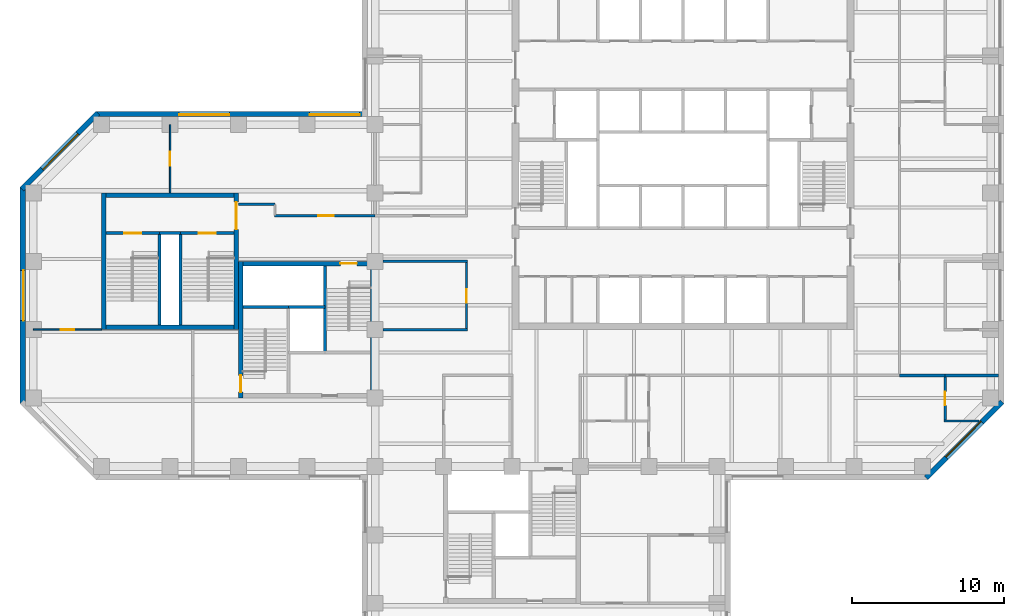
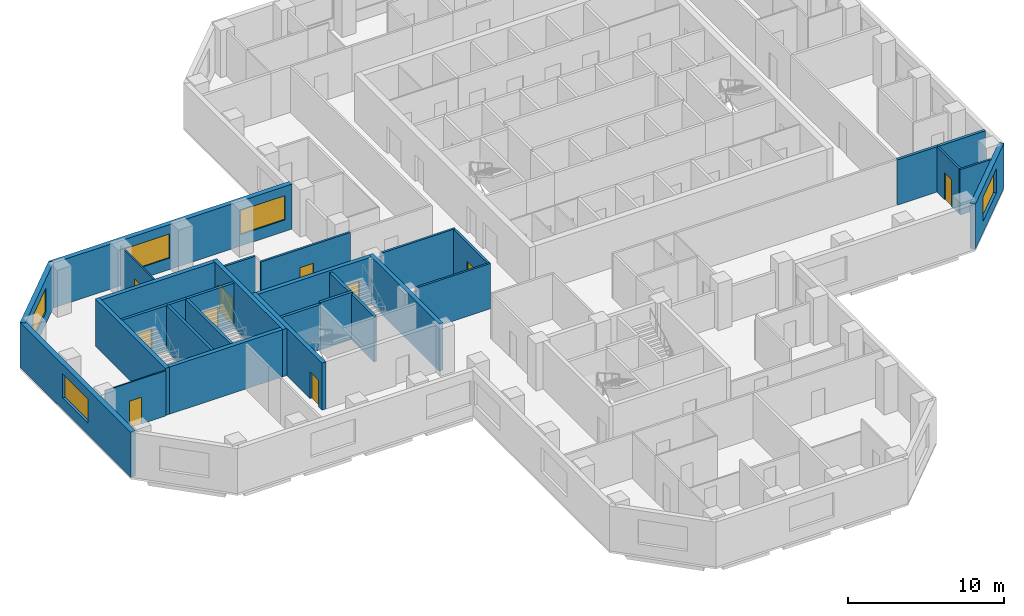
# One storey, part 5 of 11: 30 walls, 10 doors, 5 windows, 15 openings.
"""IFC4 building model written with IfcOpenShell, lengths in metres."""

from ifc_helpers import new_model, si_unit, direction, frame, frame_2d, origin, place, context, subcontext, project, spatial, rectangle, extrude, material, layer, layer_set, constituent, constituent_set, type_object, element, fill, save


model = new_model("IFC4")

# Units and contexts
model_context = context("Model", 3, precision=1e-05, world=origin(), true_north=direction((0.0, 1.0)))
body_context = subcontext(model_context, "Body", "Model", "MODEL_VIEW")
ifc_project = project(units=[si_unit("LENGTHUNIT", "METRE"), si_unit("AREAUNIT", "SQUARE_METRE"), si_unit("VOLUMEUNIT", "CUBIC_METRE"), si_unit("PLANEANGLEUNIT", "RADIAN"), si_unit("MASSUNIT", "GRAM", prefix="KILO")], contexts=[model_context])

# Site, building, storey
site_placement = place(None, origin())
site = spatial("IfcSite", under=ifc_project, at=site_placement, CompositionType="ELEMENT")
building_placement = place(site_placement, origin())
building = spatial("IfcBuilding", under=site, at=building_placement, Name="Quoin Convention Tower", CompositionType="ELEMENT")
storey_placement = place(building_placement, frame((0.0, 0.0, 119.60009765625)))
storey = spatial("IfcBuildingStorey", under=building, at=storey_placement, Name="L31", CompositionType="ELEMENT", Elevation=119.60009765625)

# Wall, opening, window
ifc_material_1 = material(Name="Brick masonry", Category="masonry")
ifc_layer_1 = layer(ifc_material_1, 0.35009765625)
ifc_layer_set_1 = layer_set([ifc_layer_1], Name="Brick masonry")
wall_type_1 = type_object("IfcWallType", Name="Brick facade wall", PredefinedType="STANDARD", material=ifc_layer_set_1)
wall_1_placement = place(storey_placement, frame((72.23876953125, 39.748779296875, 0.0), z_axis=(0.0, 0.0, 1.0), x_axis=(0.707106781187, 0.707106781187, 0.0)))
wall_1 = element("IfcWall", 1, at=wall_1_placement, inside=storey, type_object=wall_type_1, Name="fw-L31-72000_40500", PredefinedType="STANDARD", context=body_context, shape_type="SweptSolid", body=[
    extrude(rectangle(XDim=7.088623046875, YDim=0.35009765625, at=frame_2d((3.54443359375, 0.0))), origin(), (0.0, 0.0, 1.0), 3.52490234375),
])
opening_1_placement = place(wall_1_placement, frame((1.894287109375, 0.0, 0.89990234375)))
opening_1 = element("IfcOpeningElement", 2, at=opening_1_placement, cuts=wall_1, Name="Opening W-02", PredefinedType="OPENING", context=body_context, shape_type="SweptSolid", body=[
    extrude(rectangle(XDim=3.300048828125, YDim=1.89990234375, at=frame_2d((1.64990234375, 0.949951171875))), frame((0.0, 0.18505859375, 0.0), z_axis=(0.0, -1.0, 0.0), x_axis=(1.0, 0.0, 0.0)), (0.0, 0.0, 1.0), 0.3701171875),
])
ifc_material_2 = material(Name="Aluminium", Category="aluminium")
ifc_constituent_1 = constituent(ifc_material_2, Name="Frame")
ifc_material_3 = material(Name="Insulated glass", Category="glass")
ifc_constituent_2 = constituent(ifc_material_3, Name="Glazing")
ifc_constituent_set = constituent_set(constituents=[ifc_constituent_1, ifc_constituent_2], Name="Aluminium")
window_type = type_object("IfcWindowType", Name="Office window", PartitioningType="DOUBLE_PANEL_VERTICAL", PredefinedType="WINDOW", material=ifc_constituent_set)
window_1_placement = place(opening_1_placement, origin())
window_1 = element("IfcWindow", 3, at=window_1_placement, inside=storey, type_object=window_type, Name="win-L31-74745_42255", OverallHeight=1.89990234375, OverallWidth=3.300048828125, PartitioningType="SINGLE_PANEL", PredefinedType="WINDOW", context=body_context, shape_type="SweptSolid", body=[
    extrude(rectangle(XDim=3.300048828125, YDim=1.89990234375, at=frame_2d((1.64990234375, 0.949951171875))), frame((0.0, 0.0849609375, 0.0), z_axis=(0.0, -1.0, 0.0), x_axis=(1.0, 0.0, 0.0)), (0.0, 0.0, 1.0), 0.06005859375),
])
fill(opening_1, window_1)

# Wall, openings, windows
wall_2_placement = place(storey_placement, frame((35.47509765625, 63.699951171875, 0.0), z_axis=(0.0, 0.0, 1.0), x_axis=(-1.0, 0.0, 0.0)))
wall_2 = element("IfcWall", 4, at=wall_2_placement, inside=storey, type_object=wall_type_1, Name="fw-L31-36000_63000", PredefinedType="STANDARD", context=body_context, shape_type="SweptSolid", body=[
    extrude(rectangle(XDim=17.83740234375, YDim=0.35009765625, at=frame_2d((8.918701171875, 0.0))), origin(), (0.0, 0.0, 1.0), 3.52490234375),
])
opening_2_placement = place(wall_2_placement, frame((0.5, 0.0, 0.89990234375)))
opening_2 = element("IfcOpeningElement", 5, at=opening_2_placement, cuts=wall_2, Name="Opening W-02", PredefinedType="OPENING", context=body_context, shape_type="SweptSolid", body=[
    extrude(rectangle(XDim=3.300048828125, YDim=1.89990234375, at=frame_2d((1.64990234375, 0.949951171875))), frame((0.0, 0.18505859375, 0.0), z_axis=(0.0, -1.0, 0.0), x_axis=(1.0, 0.0, 0.0)), (0.0, 0.0, 1.0), 0.3701171875),
])
opening_3_placement = place(wall_2_placement, frame((9.074951171875, 0.0, 0.89990234375)))
opening_3 = element("IfcOpeningElement", 6, at=opening_3_placement, cuts=wall_2, Name="Opening W-02", PredefinedType="OPENING", context=body_context, shape_type="SweptSolid", body=[
    extrude(rectangle(XDim=3.300048828125, YDim=1.89990234375, at=frame_2d((1.64990234375, 0.949951171875))), frame((0.0, 0.18505859375, 0.0), z_axis=(0.0, -1.0, 0.0), x_axis=(1.0, 0.0, 0.0)), (0.0, 0.0, 1.0), 0.3701171875),
])
window_2_placement = place(opening_2_placement, origin())
window_2 = element("IfcWindow", 7, at=window_2_placement, inside=storey, type_object=window_type, Name="win-L31-33750_63700", OverallHeight=1.89990234375, OverallWidth=3.300048828125, PartitioningType="SINGLE_PANEL", PredefinedType="WINDOW", context=body_context, shape_type="SweptSolid", body=[
    extrude(rectangle(XDim=3.300048828125, YDim=1.89990234375, at=frame_2d((1.64990234375, 0.949951171875))), frame((0.0, 0.0849609375, 0.0), z_axis=(0.0, -1.0, 0.0), x_axis=(1.0, 0.0, 0.0)), (0.0, 0.0, 1.0), 0.06005859375),
])
fill(opening_2, window_2)
window_3_placement = place(opening_3_placement, origin())
window_3 = element("IfcWindow", 8, at=window_3_placement, inside=storey, type_object=window_type, Name="win-L31-24750_63700", OverallHeight=1.89990234375, OverallWidth=3.300048828125, PartitioningType="SINGLE_PANEL", PredefinedType="WINDOW", context=body_context, shape_type="SweptSolid", body=[
    extrude(rectangle(XDim=3.300048828125, YDim=1.89990234375, at=frame_2d((1.64990234375, 0.949951171875))), frame((0.0, 0.0849609375, 0.0), z_axis=(0.0, -1.0, 0.0), x_axis=(1.0, 0.0, 0.0)), (0.0, 0.0, 1.0), 0.06005859375),
])
fill(opening_3, window_3)

# Wall, opening, window
wall_3_placement = place(storey_placement, frame((17.76123046875, 63.751220703125, 0.0), z_axis=(0.0, 0.0, 1.0), x_axis=(-0.707106781187, -0.707106781187, 0.0)))
wall_3 = element("IfcWall", 9, at=wall_3_placement, inside=storey, type_object=wall_type_1, Name="fw-L31-18000_63000", PredefinedType="STANDARD", context=body_context, shape_type="SweptSolid", body=[
    extrude(rectangle(XDim=7.088623046875, YDim=0.35009765625, at=frame_2d((3.54443359375, 0.0))), origin(), (0.0, 0.0, 1.0), 3.52490234375),
])
opening_4_placement = place(wall_3_placement, frame((1.894287109375, 0.0, 0.89990234375)))
opening_4 = element("IfcOpeningElement", 10, at=opening_4_placement, cuts=wall_3, Name="Opening W-02", PredefinedType="OPENING", context=body_context, shape_type="SweptSolid", body=[
    extrude(rectangle(XDim=3.300048828125, YDim=1.89990234375, at=frame_2d((1.64990234375, 0.949951171875))), frame((0.0, 0.18505859375, 0.0), z_axis=(0.0, -1.0, 0.0), x_axis=(1.0, 0.0, 0.0)), (0.0, 0.0, 1.0), 0.3701171875),
])
window_4_placement = place(opening_4_placement, origin())
window_4 = element("IfcWindow", 11, at=window_4_placement, inside=storey, type_object=window_type, Name="win-L31-15255_61245", OverallHeight=1.89990234375, OverallWidth=3.300048828125, PartitioningType="SINGLE_PANEL", PredefinedType="WINDOW", context=body_context, shape_type="SweptSolid", body=[
    extrude(rectangle(XDim=3.300048828125, YDim=1.89990234375, at=frame_2d((1.64990234375, 0.949951171875))), frame((0.0, 0.0849609375, 0.0), z_axis=(0.0, -1.0, 0.0), x_axis=(1.0, 0.0, 0.0)), (0.0, 0.0, 1.0), 0.06005859375),
])
fill(opening_4, window_4)

wall_4_placement = place(storey_placement, frame((12.800048828125, 58.8623046875, 0.0), z_axis=(0.0, 0.0, 1.0), x_axis=(0.0, -1.0, 0.0)))
wall_4 = element("IfcWall", 12, at=wall_4_placement, inside=storey, type_object=wall_type_1, Name="fw-L31-13500_58500", PredefinedType="STANDARD", context=body_context, shape_type="SweptSolid", body=[
    extrude(rectangle(XDim=14.224609375, YDim=0.35009765625, at=frame_2d((7.1123046875, 0.0))), origin(), (0.0, 0.0, 1.0), 3.52490234375),
])
opening_5_placement = place(wall_4_placement, frame((5.46240234375, 0.0, 0.89990234375)))
opening_5 = element("IfcOpeningElement", 13, at=opening_5_placement, cuts=wall_4, Name="Opening W-02", PredefinedType="OPENING", context=body_context, shape_type="SweptSolid", body=[
    extrude(rectangle(XDim=3.300048828125, YDim=1.89990234375, at=frame_2d((1.64990234375, 0.949951171875))), frame((0.0, 0.18505859375, 0.0), z_axis=(0.0, -1.0, 0.0), x_axis=(1.0, 0.0, 0.0)), (0.0, 0.0, 1.0), 0.3701171875),
])
window_5_placement = place(opening_5_placement, origin())
window_5 = element("IfcWindow", 14, at=window_5_placement, inside=storey, type_object=window_type, Name="win-L31-12800_51750", OverallHeight=1.89990234375, OverallWidth=3.300048828125, PartitioningType="SINGLE_PANEL", PredefinedType="WINDOW", context=body_context, shape_type="SweptSolid", body=[
    extrude(rectangle(XDim=3.300048828125, YDim=1.89990234375, at=frame_2d((1.64990234375, 0.949951171875))), frame((0.0, 0.0849609375, 0.0), z_axis=(0.0, -1.0, 0.0), x_axis=(1.0, 0.0, 0.0)), (0.0, 0.0, 1.0), 0.06005859375),
])
fill(opening_5, window_5)

# Walls
ifc_material_4 = material(Name="Concrete C50", Category="concrete")
ifc_layer_2 = layer(ifc_material_4, 0.199951171875)
ifc_layer_set_2 = layer_set([ifc_layer_2], Name="Concrete C50")
wall_type_2 = type_object("IfcWallType", Name="Core shaft wall", PredefinedType="SOLIDWALL", material=ifc_layer_set_2)
wall_5_placement = place(storey_placement, frame((27.300048828125, 51.0, 0.0), z_axis=(0.0, 0.0, 1.0), x_axis=(1.0, 0.0, 0.0)))
element("IfcWall", 15, at=wall_5_placement, inside=storey, type_object=wall_type_2, Name="cr-P2-L31-h6000_300", PredefinedType="SOLIDWALL", context=body_context, shape_type="SweptSolid", body=[
    extrude(rectangle(XDim=3.0, YDim=0.199951171875, at=frame_2d((1.5, 0.0))), origin(), (0.0, 0.0, 1.0), 3.5498046875),
])
wall_6_placement = place(storey_placement, frame((32.699951171875, 48.0, 0.0), z_axis=(0.0, 0.0, 1.0), x_axis=(0.0, 1.0, 0.0)))
element("IfcWall", 16, at=wall_6_placement, inside=storey, type_object=wall_type_2, Name="cr-P2-L31-v5700_3000", PredefinedType="SOLIDWALL", context=body_context, shape_type="SweptSolid", body=[
    extrude(rectangle(XDim=5.699951171875, YDim=0.199951171875, at=frame_2d((2.85009765625, 0.0))), origin(), (0.0, 0.0, 1.0), 3.5498046875),
])
wall_7_placement = place(storey_placement, frame((21.800048828125, 55.85009765625, 0.0), z_axis=(0.0, 0.0, 1.0), x_axis=(1.0, 0.0, 0.0)))
element("IfcWall", 17, at=wall_7_placement, inside=storey, type_object=wall_type_2, Name="cr-P6-L31-h6350_3800", PredefinedType="SOLIDWALL", context=body_context, shape_type="SweptSolid", body=[
    extrude(rectangle(XDim=1.39990234375, YDim=0.199951171875, at=frame_2d((0.699951171875, 0.0))), origin(), (0.0, 0.0, 1.0), 3.5498046875),
])

# Wall, opening, door
wall_8_placement = place(storey_placement, frame((18.300048828125, 55.85009765625, 0.0), z_axis=(0.0, 0.0, 1.0), x_axis=(1.0, 0.0, 0.0)))
wall_8 = element("IfcWall", 18, at=wall_8_placement, inside=storey, type_object=wall_type_2, Name="cr-P6-L31-h6350_300", PredefinedType="SOLIDWALL", context=body_context, shape_type="SweptSolid", body=[
    extrude(rectangle(XDim=3.5, YDim=0.199951171875, at=frame_2d((1.75, 0.0))), origin(), (0.0, 0.0, 1.0), 3.5498046875),
])
opening_6_placement = place(wall_8_placement, frame((1.199951171875, 0.0, 0.0)))
opening_6 = element("IfcOpeningElement", 19, at=opening_6_placement, cuts=wall_8, Name="Opening SD11", PredefinedType="OPENING", context=body_context, shape_type="SweptSolid", body=[
    extrude(rectangle(XDim=1.10009765625, YDim=2.10009765625, at=frame_2d((0.550048828125, 1.050048828125))), frame((0.0, 0.10986328125, 0.0), z_axis=(0.0, -1.0, 0.0), x_axis=(1.0, 0.0, 0.0)), (0.0, 0.0, 1.0), 0.219970703125),
])
ifc_material_5 = material(Name="Steel door leaf", Category="steel")
door_type_1 = type_object("IfcDoorType", Name="Stair door 1100 x 2100", OperationType="SINGLE_SWING_RIGHT", PredefinedType="DOOR", material=ifc_material_5)
door_1_placement = place(opening_6_placement, origin())
door_1 = element("IfcDoor", 20, at=door_1_placement, inside=storey, type_object=door_type_1, Name="cd-P6-L31-SA-R2-SD11", OperationType="SINGLE_SWING_RIGHT", OverallHeight=2.10009765625, OverallWidth=1.10009765625, PredefinedType="DOOR", context=body_context, shape_type="SweptSolid", body=[
    extrude(rectangle(XDim=1.10009765625, YDim=2.10009765625, at=frame_2d((0.550048828125, 1.050048828125))), frame((0.0, 0.02490234375, 0.0), z_axis=(0.0, -1.0, 0.0), x_axis=(1.0, 0.0, 0.0)), (0.0, 0.0, 1.0), 0.050048828125),
])
fill(opening_6, door_1)

wall_9_placement = place(storey_placement, frame((23.199951171875, 55.85009765625, 0.0), z_axis=(0.0, 0.0, 1.0), x_axis=(1.0, 0.0, 0.0)))
wall_9 = element("IfcWall", 21, at=wall_9_placement, inside=storey, type_object=wall_type_2, Name="cr-P6-L31-h6350_5200", PredefinedType="SOLIDWALL", context=body_context, shape_type="SweptSolid", body=[
    extrude(rectangle(XDim=3.5, YDim=0.199951171875, at=frame_2d((1.75, 0.0))), origin(), (0.0, 0.0, 1.0), 3.5498046875),
])
opening_7_placement = place(wall_9_placement, frame((1.199951171875, 0.0, 0.0)))
opening_7 = element("IfcOpeningElement", 22, at=opening_7_placement, cuts=wall_9, Name="Opening SD12", PredefinedType="OPENING", context=body_context, shape_type="SweptSolid", body=[
    extrude(rectangle(XDim=1.10009765625, YDim=2.10009765625, at=frame_2d((0.550048828125, 1.050048828125))), frame((0.0, 0.10986328125, 0.0), z_axis=(0.0, -1.0, 0.0), x_axis=(1.0, 0.0, 0.0)), (0.0, 0.0, 1.0), 0.219970703125),
])
door_2_placement = place(opening_7_placement, origin())
door_2 = element("IfcDoor", 23, at=door_2_placement, inside=storey, type_object=door_type_1, Name="cd-P6-L31-SB-R2-SD12", OperationType="SINGLE_SWING_RIGHT", OverallHeight=2.10009765625, OverallWidth=1.10009765625, PredefinedType="DOOR", context=body_context, shape_type="SweptSolid", body=[
    extrude(rectangle(XDim=1.10009765625, YDim=2.10009765625, at=frame_2d((0.550048828125, 1.050048828125))), frame((0.0, 0.02490234375, 0.0), z_axis=(0.0, -1.0, 0.0), x_axis=(1.0, 0.0, 0.0)), (0.0, 0.0, 1.0), 0.050048828125),
])
fill(opening_7, door_2)

# Walls
for number, where, z_axis, x_axis, name in (
    (24, (21.800048828125, 49.800048828125, 0.0), (0.0, 0.0, 1.0), (0.0, 1.0, 0.0), "cr-P6-L31-v3800_300"),
    (25, (23.199951171875, 49.800048828125, 0.0), (0.0, 0.0, 1.0), (0.0, 1.0, 0.0), "cr-P6-L31-v5200_300"),
):
    element("IfcWall", number, at=place(storey_placement, frame(where, z_axis=z_axis, x_axis=x_axis)), inside=storey, type_object=wall_type_2, Name=name, PredefinedType="SOLIDWALL", context=body_context, shape_type="SweptSolid", body=[
        extrude(rectangle(XDim=6.050048828125, YDim=0.199951171875, at=frame_2d((3.02490234375, 0.0))), origin(), (0.0, 0.0, 1.0), 3.5498046875),
    ])
ifc_layer_3 = layer(ifc_material_4, 0.199951171875)
ifc_layer_set_3 = layer_set([ifc_layer_3], Name="Concrete C50")
wall_type_3 = type_object("IfcWallType", Name="Core shaft wall to the floor level over", PredefinedType="SOLIDWALL", material=ifc_layer_set_3)
wall_10_placement = place(storey_placement, frame((30.300048828125, 51.0, 0.0), z_axis=(0.0, 0.0, 1.0), x_axis=(1.0, 0.0, 0.0)))
element("IfcWall", 26, at=wall_10_placement, inside=storey, type_object=wall_type_3, Name="cr-P2-L31-h6000_3300", PredefinedType="SOLIDWALL", context=body_context, shape_type="SweptSolid", body=[
    extrude(rectangle(XDim=2.39990234375, YDim=0.199951171875, at=frame_2d((1.199951171875, 0.0))), origin(), (0.0, 0.0, 1.0), 3.699951171875),
])
ifc_material_6 = material(Name="Plasterboard")
ifc_layer_4 = layer(ifc_material_6, 0.012451171875, Name="Finish")
ifc_material_7 = material(Name="Steel stud framing", Category="steel")
ifc_layer_5 = layer(ifc_material_7, 0.125, Name="Structure")
ifc_layer_6 = layer(ifc_material_6, 0.012451171875, Name="Finish")
ifc_layer_set_4 = layer_set([ifc_layer_4, ifc_layer_5, ifc_layer_6], Name="Steel stud framing")
wall_type_4 = type_object("IfcWallType", Name="Corridor wall 150", PredefinedType="PARTITIONING", material=ifc_layer_set_4)
for number, where, z_axis, x_axis, name in (
    (27, (36.52490234375, 49.5, 0.0), (0.0, 0.0, 1.0), (1.0, 0.0, 0.0), "pw-L31-027"),
    (28, (36.52490234375, 54.0, 0.0), (0.0, 0.0, 1.0), (1.0, 0.0, 0.0), "pw-L31-031"),
):
    element("IfcWall", number, at=place(storey_placement, frame(where, z_axis=z_axis, x_axis=x_axis)), inside=storey, type_object=wall_type_4, Name=name, PredefinedType="PARTITIONING", context=body_context, shape_type="SweptSolid", body=[
        extrude(rectangle(XDim=5.550048828125, YDim=0.14990234375, at=frame_2d((2.77490234375, 0.0))), origin(), (0.0, 0.0, 1.0), 3.5498046875),
    ])

# Wall, opening, door
wall_11_placement = place(storey_placement, frame((29.3798828125, 57.0, 0.0), z_axis=(0.0, 0.0, 1.0), x_axis=(1.0, 0.0, 0.0)))
wall_11 = element("IfcWall", 29, at=wall_11_placement, inside=storey, type_object=wall_type_4, Name="pw-L31-033", PredefinedType="PARTITIONING", context=body_context, shape_type="SweptSolid", body=[
    extrude(rectangle(XDim=6.6201171875, YDim=0.14990234375, at=frame_2d((3.31005859375, 0.0))), origin(), (0.0, 0.0, 1.0), 3.5498046875),
])
opening_8_placement = place(wall_11_placement, frame((2.8798828125, 0.0, 0.0)))
opening_8 = element("IfcOpeningElement", 30, at=opening_8_placement, cuts=wall_11, Name="Opening DOL6-11", PredefinedType="OPENING", context=body_context, shape_type="SweptSolid", body=[
    extrude(rectangle(XDim=1.0, YDim=2.10009765625, at=frame_2d((0.5, 1.050048828125))), frame((0.0, 0.0849609375, 0.0), z_axis=(0.0, -1.0, 0.0), x_axis=(1.0, 0.0, 0.0)), (0.0, 0.0, 1.0), 0.169921875),
])
door_type_2 = type_object("IfcDoorType", Name="Tenancy entrance door 1000 x 2100", OperationType="DOUBLE_DOOR_SINGLE_SWING", PredefinedType="DOOR", material=ifc_material_5)
door_3_placement = place(opening_8_placement, origin())
door_3 = element("IfcDoor", 31, at=door_3_placement, inside=storey, type_object=door_type_2, Name="dr-L31-w01", OperationType="DOUBLE_DOOR_SINGLE_SWING", OverallHeight=2.10009765625, OverallWidth=1.0, PredefinedType="DOOR", context=body_context, shape_type="SweptSolid", body=[
    extrude(rectangle(XDim=1.0, YDim=2.10009765625, at=frame_2d((0.5, 1.050048828125))), frame((0.0, 0.02490234375, 0.0), z_axis=(0.0, -1.0, 0.0), x_axis=(1.0, 0.0, 0.0)), (0.0, 0.0, 1.0), 0.050048828125),
])
fill(opening_8, door_3)

wall_12_placement = place(storey_placement, frame((42.0, 49.574951171875, 0.0), z_axis=(0.0, 0.0, 1.0), x_axis=(0.0, 1.0, 0.0)))
wall_12 = element("IfcWall", 32, at=wall_12_placement, inside=storey, type_object=wall_type_4, Name="pw-L31-083", PredefinedType="PARTITIONING", context=body_context, shape_type="SweptSolid", body=[
    extrude(rectangle(XDim=4.35009765625, YDim=0.14990234375, at=frame_2d((2.175048828125, 0.0))), origin(), (0.0, 0.0, 1.0), 3.5498046875),
])
opening_9_placement = place(wall_12_placement, frame((1.699951171875, 0.0, 0.0)))
opening_9 = element("IfcOpeningElement", 33, at=opening_9_placement, cuts=wall_12, Name="Opening DOL6-30", PredefinedType="OPENING", context=body_context, shape_type="SweptSolid", body=[
    extrude(rectangle(XDim=0.89990234375, YDim=2.10009765625, at=frame_2d((0.449951171875, 1.050048828125))), frame((0.0, 0.0849609375, 0.0), z_axis=(0.0, -1.0, 0.0), x_axis=(1.0, 0.0, 0.0)), (0.0, 0.0, 1.0), 0.169921875),
])
door_type_3 = type_object("IfcDoorType", Name="Office door 900 x 2100", OperationType="SINGLE_SWING_RIGHT", PredefinedType="DOOR", material=ifc_material_5)
door_4_placement = place(opening_9_placement, origin())
door_4 = element("IfcDoor", 34, at=door_4_placement, inside=storey, type_object=door_type_3, Name="dr-L31-01", OperationType="SINGLE_SWING_RIGHT", OverallHeight=2.10009765625, OverallWidth=0.89990234375, PredefinedType="DOOR", context=body_context, shape_type="SweptSolid", body=[
    extrude(rectangle(XDim=0.89990234375, YDim=2.10009765625, at=frame_2d((0.449951171875, 1.050048828125))), frame((0.0, 0.02490234375, 0.0), z_axis=(0.0, -1.0, 0.0), x_axis=(1.0, 0.0, 0.0)), (0.0, 0.0, 1.0), 0.050048828125),
])
fill(opening_9, door_4)

# Wall
wall_13_placement = place(storey_placement, frame((27.0, 57.75, 0.0), z_axis=(0.0, 0.0, 1.0), x_axis=(1.0, 0.0, 0.0)))
element("IfcWall", 35, at=wall_13_placement, inside=storey, type_object=wall_type_4, Name="pw-L31-w03", PredefinedType="PARTITIONING", context=body_context, shape_type="SweptSolid", body=[
    extrude(rectangle(XDim=2.39990234375, YDim=0.14990234375, at=frame_2d((1.199951171875, 0.0))), origin(), (0.0, 0.0, 1.0), 3.5498046875),
])

# Wall, opening, door
ifc_material_8 = material(Name="Concrete C65", Category="concrete")
ifc_layer_7 = layer(ifc_material_8, 0.300048828125)
ifc_layer_set_5 = layer_set([ifc_layer_7], Name="Concrete C65")
wall_type_5 = type_object("IfcWallType", Name="RC CORE WALL 300 C65", PredefinedType="SHEAR", material=ifc_layer_set_5)
wall_14_placement = place(storey_placement, frame((27.300048828125, 53.85009765625, 0.0), z_axis=(0.0, 0.0, 1.0), x_axis=(1.0, 0.0, 0.0)))
wall_14 = element("IfcWall", 36, at=wall_14_placement, inside=storey, type_object=wall_type_5, Name="cwl-P2-L31-N", PredefinedType="SHEAR", context=body_context, shape_type="SweptSolid", body=[
    extrude(rectangle(XDim=8.39990234375, YDim=0.300048828125, at=frame_2d((4.199951171875, 0.0))), origin(), (0.0, 0.0, 1.0), 3.699951171875),
])
opening_10_placement = place(wall_14_placement, frame((6.39990234375, 0.0, 0.0)))
opening_10 = element("IfcOpeningElement", 37, at=opening_10_placement, cuts=wall_14, Name="Opening SD4", PredefinedType="OPENING", context=body_context, shape_type="SweptSolid", body=[
    extrude(rectangle(XDim=1.10009765625, YDim=2.10009765625, at=frame_2d((0.550048828125, 1.050048828125))), frame((0.0, 0.159912109375, 0.0), z_axis=(0.0, -1.0, 0.0), x_axis=(1.0, 0.0, 0.0)), (0.0, 0.0, 1.0), 0.320068359375),
])
door_5_placement = place(opening_10_placement, frame((1.10009765625, 0.0, 0.0), z_axis=(0.0, 0.0, 1.0), x_axis=(-1.0, 0.0, 0.0)))
door_5 = element("IfcDoor", 38, at=door_5_placement, inside=storey, type_object=door_type_1, Name="cd-P2-L31-SB-N", OperationType="SINGLE_SWING_LEFT", OverallHeight=2.10009765625, OverallWidth=1.10009765625, PredefinedType="DOOR", context=body_context, shape_type="SweptSolid", body=[
    extrude(rectangle(XDim=1.10009765625, YDim=2.10009765625, at=frame_2d((0.550048828125, 1.050048828125))), frame((0.0, 0.02490234375, 0.0), z_axis=(0.0, -1.0, 0.0), x_axis=(1.0, 0.0, 0.0)), (0.0, 0.0, 1.0), 0.050048828125),
])
fill(opening_10, door_5)

wall_15_placement = place(storey_placement, frame((27.14990234375, 45.0, 0.0), z_axis=(0.0, 0.0, 1.0), x_axis=(0.0, 1.0, 0.0)))
wall_15 = element("IfcWall", 39, at=wall_15_placement, inside=storey, type_object=wall_type_5, Name="cwl-P2-L31-W", PredefinedType="SHEAR", context=body_context, shape_type="SweptSolid", body=[
    extrude(rectangle(XDim=9.0, YDim=0.300048828125, at=frame_2d((4.5, 0.0))), origin(), (0.0, 0.0, 1.0), 3.699951171875),
])
opening_11_placement = place(wall_15_placement, frame((0.39990234375, 0.0, 0.0)))
opening_11 = element("IfcOpeningElement", 40, at=opening_11_placement, cuts=wall_15, Name="Opening SD3", PredefinedType="OPENING", context=body_context, shape_type="SweptSolid", body=[
    extrude(rectangle(XDim=1.10009765625, YDim=2.10009765625, at=frame_2d((0.550048828125, 1.050048828125))), frame((0.0, 0.159912109375, 0.0), z_axis=(0.0, -1.0, 0.0), x_axis=(1.0, 0.0, 0.0)), (0.0, 0.0, 1.0), 0.320068359375),
])
door_6_placement = place(opening_11_placement, frame((1.10009765625, 0.0, 0.0), z_axis=(0.0, 0.0, 1.0), x_axis=(-1.0, 0.0, 0.0)))
door_6 = element("IfcDoor", 41, at=door_6_placement, inside=storey, type_object=door_type_1, Name="cd-P2-L31-SA-W", OperationType="SINGLE_SWING_RIGHT", OverallHeight=2.10009765625, OverallWidth=1.10009765625, PredefinedType="DOOR", context=body_context, shape_type="SweptSolid", body=[
    extrude(rectangle(XDim=1.10009765625, YDim=2.10009765625, at=frame_2d((0.550048828125, 1.050048828125))), frame((0.0, 0.02490234375, 0.0), z_axis=(0.0, -1.0, 0.0), x_axis=(1.0, 0.0, 0.0)), (0.0, 0.0, 1.0), 0.050048828125),
])
fill(opening_11, door_6)

# Walls
wall_16_placement = place(storey_placement, frame((35.85009765625, 45.0, 0.0), z_axis=(0.0, 0.0, 1.0), x_axis=(0.0, 1.0, 0.0)))
element("IfcWall", 42, at=wall_16_placement, inside=storey, type_object=wall_type_5, Name="cwl-P2-L31-E", PredefinedType="SHEAR", context=body_context, shape_type="SweptSolid", body=[
    extrude(rectangle(XDim=9.0, YDim=0.300048828125, at=frame_2d((4.5, 0.0))), origin(), (0.0, 0.0, 1.0), 3.699951171875),
])
for number, where, z_axis, x_axis, name in (
    (43, (18.300048828125, 49.64990234375, 0.0), (0.0, 0.0, 1.0), (1.0, 0.0, 0.0), "cwl-P6-L31-S"),
    (44, (18.300048828125, 58.35009765625, 0.0), (0.0, 0.0, 1.0), (1.0, 0.0, 0.0), "cwl-P6-L31-N"),
):
    element("IfcWall", number, at=place(storey_placement, frame(where, z_axis=z_axis, x_axis=x_axis)), inside=storey, type_object=wall_type_5, Name=name, PredefinedType="SHEAR", context=body_context, shape_type="SweptSolid", body=[
        extrude(rectangle(XDim=8.39990234375, YDim=0.300048828125, at=frame_2d((4.199951171875, 0.0))), origin(), (0.0, 0.0, 1.0), 3.699951171875),
    ])
wall_17_placement = place(storey_placement, frame((18.14990234375, 49.5, 0.0), z_axis=(0.0, 0.0, 1.0), x_axis=(0.0, 1.0, 0.0)))
element("IfcWall", 45, at=wall_17_placement, inside=storey, type_object=wall_type_5, Name="cwl-P6-L31-W", PredefinedType="SHEAR", context=body_context, shape_type="SweptSolid", body=[
    extrude(rectangle(XDim=9.0, YDim=0.300048828125, at=frame_2d((4.5, 0.0))), origin(), (0.0, 0.0, 1.0), 3.699951171875),
])

# Wall, opening, door
wall_18_placement = place(storey_placement, frame((26.85009765625, 49.5, 0.0), z_axis=(0.0, 0.0, 1.0), x_axis=(0.0, 1.0, 0.0)))
wall_18 = element("IfcWall", 46, at=wall_18_placement, inside=storey, type_object=wall_type_5, Name="cwl-P6-L31-E", PredefinedType="SHEAR", context=body_context, shape_type="SweptSolid", body=[
    extrude(rectangle(XDim=9.0, YDim=0.300048828125, at=frame_2d((4.5, 0.0))), origin(), (0.0, 0.0, 1.0), 3.699951171875),
])
opening_12_placement = place(wall_18_placement, frame((6.60009765625, 0.0, 0.0)))
opening_12 = element("IfcOpeningElement", 47, at=opening_12_placement, cuts=wall_18, Name="Opening DCV5-54", PredefinedType="OPENING", context=body_context, shape_type="SweptSolid", body=[
    extrude(rectangle(XDim=1.800048828125, YDim=2.10009765625, at=frame_2d((0.89990234375, 1.050048828125))), frame((0.0, 0.159912109375, 0.0), z_axis=(0.0, -1.0, 0.0), x_axis=(1.0, 0.0, 0.0)), (0.0, 0.0, 1.0), 0.320068359375),
])
door_type_4 = type_object("IfcDoorType", Name="Goods lobby door 1800 x 2100", OperationType="SINGLE_SWING_LEFT", PredefinedType="DOOR", material=ifc_material_5)
door_7_placement = place(opening_12_placement, origin())
door_7 = element("IfcDoor", 48, at=door_7_placement, inside=storey, type_object=door_type_4, Name="cd-P6-L31-R2-E", OperationType="SINGLE_SWING_LEFT", OverallHeight=2.10009765625, OverallWidth=1.800048828125, PredefinedType="DOOR", context=body_context, shape_type="SweptSolid", body=[
    extrude(rectangle(XDim=1.800048828125, YDim=2.10009765625, at=frame_2d((0.89990234375, 1.050048828125))), frame((0.0, 0.02490234375, 0.0), z_axis=(0.0, -1.0, 0.0), x_axis=(1.0, 0.0, 0.0)), (0.0, 0.0, 1.0), 0.050048828125),
])
fill(opening_12, door_7)

ifc_layer_8 = layer(ifc_material_6, 0.012451171875, Name="Finish")
ifc_layer_9 = layer(ifc_material_7, 0.074951171875, Name="Structure")
ifc_layer_10 = layer(ifc_material_6, 0.012451171875, Name="Finish")
ifc_layer_set_6 = layer_set([ifc_layer_8, ifc_layer_9, ifc_layer_10], Name="Steel stud framing")
wall_type_6 = type_object("IfcWallType", Name="Stud partition 100", PredefinedType="PARTITIONING", material=ifc_layer_set_6)
wall_19_placement = place(storey_placement, frame((22.5, 63.0, 0.0), z_axis=(0.0, 0.0, 1.0), x_axis=(0.0, -1.0, 0.0)))
wall_19 = element("IfcWall", 49, at=wall_19_placement, inside=storey, type_object=wall_type_6, Name="pw-L31-w01", PredefinedType="PARTITIONING", context=body_context, shape_type="SweptSolid", body=[
    extrude(rectangle(XDim=4.5, YDim=0.10009765625, at=frame_2d((2.25, 0.0))), origin(), (0.0, 0.0, 1.0), 3.5498046875),
])
opening_13_placement = place(wall_19_placement, frame((1.800048828125, 0.0, 0.0)))
opening_13 = element("IfcOpeningElement", 50, at=opening_13_placement, cuts=wall_19, Name="Opening DOL6-38", PredefinedType="OPENING", context=body_context, shape_type="SweptSolid", body=[
    extrude(rectangle(XDim=0.89990234375, YDim=2.10009765625, at=frame_2d((0.449951171875, 1.050048828125))), frame((0.0, 0.06005859375, 0.0), z_axis=(0.0, -1.0, 0.0), x_axis=(1.0, 0.0, 0.0)), (0.0, 0.0, 1.0), 0.1201171875),
])
door_8_placement = place(opening_13_placement, origin())
door_8 = element("IfcDoor", 51, at=door_8_placement, inside=storey, type_object=door_type_3, Name="dr-L31-w02", OperationType="SINGLE_SWING_LEFT", OverallHeight=2.10009765625, OverallWidth=0.89990234375, PredefinedType="DOOR", context=body_context, shape_type="SweptSolid", body=[
    extrude(rectangle(XDim=0.89990234375, YDim=2.10009765625, at=frame_2d((0.449951171875, 1.050048828125))), frame((0.0, 0.02490234375, 0.0), z_axis=(0.0, -1.0, 0.0), x_axis=(1.0, 0.0, 0.0)), (0.0, 0.0, 1.0), 0.050048828125),
])
fill(opening_13, door_8)

wall_20_placement = place(storey_placement, frame((13.5, 49.5, 0.0), z_axis=(0.0, 0.0, 1.0), x_axis=(1.0, 0.0, 0.0)))
wall_20 = element("IfcWall", 52, at=wall_20_placement, inside=storey, type_object=wall_type_6, Name="pw-L31-w02", PredefinedType="PARTITIONING", context=body_context, shape_type="SweptSolid", body=[
    extrude(rectangle(XDim=4.5, YDim=0.10009765625, at=frame_2d((2.25, 0.0))), origin(), (0.0, 0.0, 1.0), 3.5498046875),
])
opening_14_placement = place(wall_20_placement, frame((1.800048828125, 0.0, 0.0)))
opening_14 = element("IfcOpeningElement", 53, at=opening_14_placement, cuts=wall_20, Name="Opening DOL6-39", PredefinedType="OPENING", context=body_context, shape_type="SweptSolid", body=[
    extrude(rectangle(XDim=0.89990234375, YDim=2.10009765625, at=frame_2d((0.449951171875, 1.050048828125))), frame((0.0, 0.06005859375, 0.0), z_axis=(0.0, -1.0, 0.0), x_axis=(1.0, 0.0, 0.0)), (0.0, 0.0, 1.0), 0.1201171875),
])
door_9_placement = place(opening_14_placement, frame((0.89990234375, 0.0, 0.0), z_axis=(0.0, 0.0, 1.0), x_axis=(-1.0, 0.0, 0.0)))
door_9 = element("IfcDoor", 54, at=door_9_placement, inside=storey, type_object=door_type_3, Name="dr-L31-w03", OperationType="SINGLE_SWING_LEFT", OverallHeight=2.10009765625, OverallWidth=0.89990234375, PredefinedType="DOOR", context=body_context, shape_type="SweptSolid", body=[
    extrude(rectangle(XDim=0.89990234375, YDim=2.10009765625, at=frame_2d((0.449951171875, 1.050048828125))), frame((0.0, 0.02490234375, 0.0), z_axis=(0.0, -1.0, 0.0), x_axis=(1.0, 0.0, 0.0)), (0.0, 0.0, 1.0), 0.050048828125),
])
fill(opening_14, door_9)

# Walls
ifc_layer_11 = layer(ifc_material_6, 0.012451171875, Name="Finish")
ifc_layer_12 = layer(ifc_material_7, 0.175048828125, Name="Structure")
ifc_layer_13 = layer(ifc_material_6, 0.012451171875, Name="Finish")
ifc_layer_set_7 = layer_set([ifc_layer_11, ifc_layer_12, ifc_layer_13], Name="Steel stud framing")
wall_type_7 = type_object("IfcWallType", Name="Tenancy demising wall 200", PredefinedType="PARTITIONING", material=ifc_layer_set_7)
wall_21_placement = place(storey_placement, frame((70.5, 46.5, 0.0), z_axis=(0.0, 0.0, 1.0), x_axis=(1.0, 0.0, 0.0)))
element("IfcWall", 55, at=wall_21_placement, inside=storey, type_object=wall_type_7, Name="pw-L31-024", PredefinedType="PARTITIONING", context=body_context, shape_type="SweptSolid", body=[
    extrude(rectangle(XDim=3.0, YDim=0.199951171875, at=frame_2d((1.5, 0.0))), origin(), (0.0, 0.0, 1.0), 3.5498046875),
])
wall_22_placement = place(storey_placement, frame((73.5, 46.5, 0.0), z_axis=(0.0, 0.0, 1.0), x_axis=(1.0, 0.0, 0.0)))
element("IfcWall", 56, at=wall_22_placement, inside=storey, type_object=wall_type_7, Name="pw-L31-025", PredefinedType="PARTITIONING", context=body_context, shape_type="SweptSolid", body=[
    extrude(rectangle(XDim=3.52490234375, YDim=0.199951171875, at=frame_2d((1.762451171875, 0.0))), origin(), (0.0, 0.0, 1.0), 3.5498046875),
])
ifc_layer_14 = layer(ifc_material_6, 0.012451171875, Name="Finish")
ifc_layer_15 = layer(ifc_material_7, 0.125, Name="Structure")
ifc_layer_16 = layer(ifc_material_6, 0.012451171875, Name="Finish")
ifc_layer_set_8 = layer_set([ifc_layer_14, ifc_layer_15, ifc_layer_16], Name="Steel stud framing")
wall_type_8 = type_object("IfcWallType", Name="Wet area partition 150", PredefinedType="PARTITIONING", material=ifc_layer_set_8)
wall_23_placement = place(storey_placement, frame((73.425048828125, 43.5, 0.0), z_axis=(0.0, 0.0, 1.0), x_axis=(1.0, 0.0, 0.0)))
element("IfcWall", 57, at=wall_23_placement, inside=storey, type_object=wall_type_8, Name="pw-L31-016", PredefinedType="PARTITIONING", context=body_context, shape_type="SweptSolid", body=[
    extrude(rectangle(XDim=2.3173828125, YDim=0.14990234375, at=frame_2d((1.15869140625, 0.0))), origin(), (0.0, 0.0, 1.0), 3.5498046875),
])

# Wall, opening, door
wall_24_placement = place(storey_placement, frame((73.5, 43.574951171875, 0.0), z_axis=(0.0, 0.0, 1.0), x_axis=(0.0, 1.0, 0.0)))
wall_24 = element("IfcWall", 58, at=wall_24_placement, inside=storey, type_object=wall_type_8, Name="pw-L31-076", PredefinedType="PARTITIONING", context=body_context, shape_type="SweptSolid", body=[
    extrude(rectangle(XDim=2.824951171875, YDim=0.14990234375, at=frame_2d((1.41259765625, 0.0))), origin(), (0.0, 0.0, 1.0), 3.5498046875),
])
opening_15_placement = place(wall_24_placement, frame((0.949951171875, 0.0, 0.0)))
opening_15 = element("IfcOpeningElement", 59, at=opening_15_placement, cuts=wall_24, Name="Opening DOL6-28", PredefinedType="OPENING", context=body_context, shape_type="SweptSolid", body=[
    extrude(rectangle(XDim=0.89990234375, YDim=2.10009765625, at=frame_2d((0.449951171875, 1.050048828125))), frame((0.0, 0.0849609375, 0.0), z_axis=(0.0, -1.0, 0.0), x_axis=(1.0, 0.0, 0.0)), (0.0, 0.0, 1.0), 0.169921875),
])
door_10_placement = place(opening_15_placement, origin())
door_10 = element("IfcDoor", 60, at=door_10_placement, inside=storey, type_object=door_type_3, Name="dr-L31-20", OperationType="SINGLE_SWING_RIGHT", OverallHeight=2.10009765625, OverallWidth=0.89990234375, PredefinedType="DOOR", context=body_context, shape_type="SweptSolid", body=[
    extrude(rectangle(XDim=0.89990234375, YDim=2.10009765625, at=frame_2d((0.449951171875, 1.050048828125))), frame((0.0, 0.02490234375, 0.0), z_axis=(0.0, -1.0, 0.0), x_axis=(1.0, 0.0, 0.0)), (0.0, 0.0, 1.0), 0.050048828125),
])
fill(opening_15, door_10)

save(model, "model.ifc")
